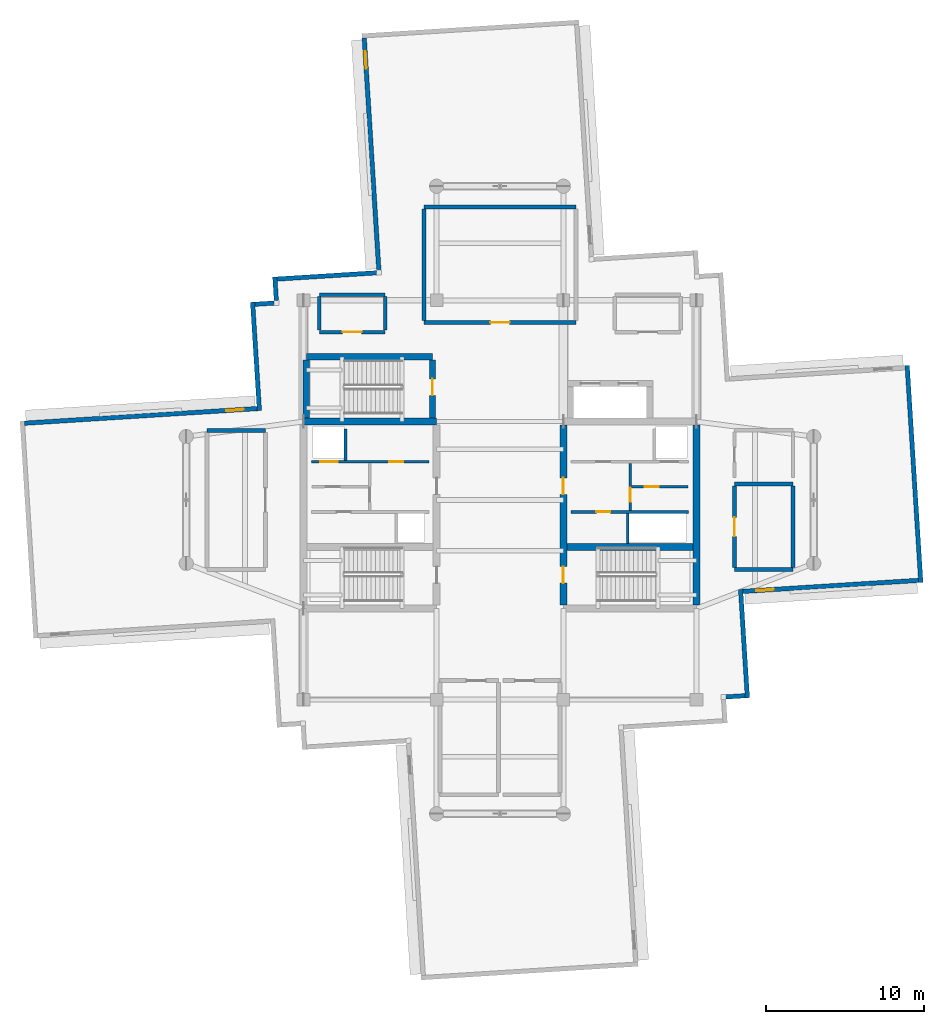
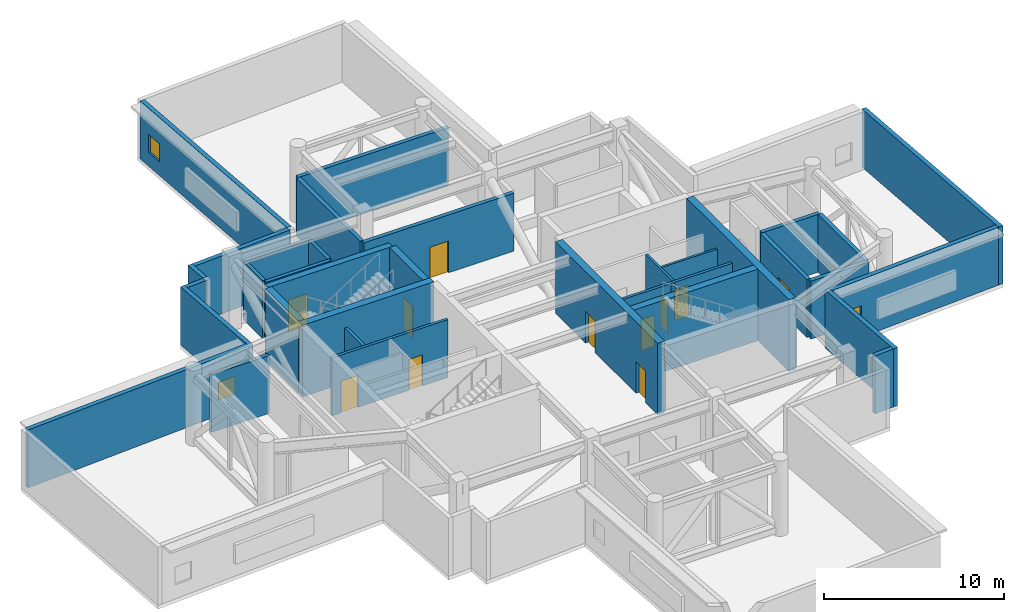
# One storey, part 9 of 14: 35 walls, 11 doors, 3 windows, 14 openings.
"""IFC4 building model written with IfcOpenShell, lengths in metres."""

from ifc_helpers import new_model, si_unit, direction, frame, frame_2d, origin, place, context, subcontext, project, spatial, rectangle, extrude, material, layer, layer_set, type_object, element, fill, save


model = new_model("IFC4")

# Units and contexts
model_context = context("Model", 3, precision=1e-05, world=origin(), true_north=direction((0.0, 1.0)))
body_context = subcontext(model_context, "Body", "Model", "MODEL_VIEW")
ifc_project = project(units=[si_unit("LENGTHUNIT", "METRE"), si_unit("AREAUNIT", "SQUARE_METRE"), si_unit("VOLUMEUNIT", "CUBIC_METRE"), si_unit("PLANEANGLEUNIT", "RADIAN"), si_unit("MASSUNIT", "GRAM", prefix="KILO")], contexts=[model_context])

# Site, building, storey
site_placement = place(None, origin())
site = spatial("IfcSite", under=ifc_project, at=site_placement, CompositionType="ELEMENT")
building_placement = place(site_placement, origin())
building = spatial("IfcBuilding", under=site, at=building_placement, Name="Qingluan Cross Belvedere", CompositionType="ELEMENT")
storey_placement = place(building_placement, frame((0.0, 0.0, 288.89990234375)))
storey = spatial("IfcBuildingStorey", under=building, at=storey_placement, Name="L72", CompositionType="ELEMENT", Elevation=288.89990234375)

# Wall
ifc_material_1 = material(Name="Concrete C50", Category="concrete")
ifc_layer_1 = layer(ifc_material_1, 0.449951171875, Name="CoreShearWall_450")
ifc_layer_set_1 = layer_set([ifc_layer_1], Name="Concrete C50")
wall_type_1 = type_object("IfcWallType", Name="CoreShearWall_450", PredefinedType="SHEAR", material=ifc_layer_set_1)
wall_1_placement = place(storey_placement, frame((-12.39990234375, 4.949951171875, 0.0), z_axis=(0.0, 0.0, 1.0), x_axis=(1.0, 0.0, 0.0)))
element("IfcWall", 1, at=wall_1_placement, inside=storey, type_object=wall_type_1, Name="Split core W shear wall L72-N", PredefinedType="SHEAR", context=body_context, shape_type="SweptSolid", body=[
    extrude(rectangle(XDim=8.39990234375, YDim=0.449951171875, at=frame_2d((4.199951171875, 0.0))), origin(), (0.0, 0.0, 1.0), 4.85009765625),
])

# Wall, openings, doors
wall_2_placement = place(storey_placement, frame((4.0, -6.6201171875, 0.0), z_axis=(0.0, 0.0, 1.0), x_axis=(0.0, 1.0, 0.0)))
wall_2 = element("IfcWall", 2, at=wall_2_placement, inside=storey, type_object=wall_type_1, Name="Split core E shear wall L72-W", PredefinedType="SHEAR", context=body_context, shape_type="SweptSolid", body=[
    extrude(rectangle(XDim=11.340087890625, YDim=0.449951171875, at=frame_2d((5.669921875, 0.0))), origin(), (0.0, 0.0, 1.0), 4.85009765625),
])
opening_1_placement = place(wall_2_placement, frame((1.3701171875, 0.0, 0.0)))
opening_1 = element("IfcOpeningElement", 3, at=opening_1_placement, cuts=wall_2, Name="Opening FD-B11", PredefinedType="OPENING", context=body_context, shape_type="SweptSolid", body=[
    extrude(rectangle(XDim=1.050048828125, YDim=2.14990234375, at=frame_2d((0.52490234375, 1.074951171875))), frame((0.0, 0.23486328125, 0.0), z_axis=(0.0, -1.0, 0.0), x_axis=(1.0, 0.0, 0.0)), (0.0, 0.0, 1.0), 0.469970703125),
])
opening_2_placement = place(wall_2_placement, frame((6.969970703125, 0.0, 0.0)))
opening_2 = element("IfcOpeningElement", 4, at=opening_2_placement, cuts=wall_2, Name="Opening FD-B11", PredefinedType="OPENING", context=body_context, shape_type="SweptSolid", body=[
    extrude(rectangle(XDim=1.050048828125, YDim=2.14990234375, at=frame_2d((0.52490234375, 1.074951171875))), frame((0.0, 0.23486328125, 0.0), z_axis=(0.0, -1.0, 0.0), x_axis=(1.0, 0.0, 0.0)), (0.0, 0.0, 1.0), 0.469970703125),
])
ifc_material_2 = material(Name="Steel Class B smoke-seal fire door", Category="steel")
door_type_1 = type_object("IfcDoorType", Name="StairLobbyFireDoor_FDB", OperationType="NOTDEFINED", PredefinedType="DOOR", material=ifc_material_2)
door_1_placement = place(opening_1_placement, origin())
door_1 = element("IfcDoor", 5, at=door_1_placement, inside=storey, type_object=door_type_1, Name="Smoke-proof stair ST2 fire door L72", OperationType="SINGLE_SWING_LEFT", OverallHeight=2.14990234375, OverallWidth=1.050048828125, PredefinedType="DOOR", context=body_context, shape_type="SweptSolid", body=[
    extrude(rectangle(XDim=1.050048828125, YDim=2.14990234375, at=frame_2d((0.52490234375, 1.074951171875))), frame((0.0, 0.02490234375, 0.0), z_axis=(0.0, -1.0, 0.0), x_axis=(1.0, 0.0, 0.0)), (0.0, 0.0, 1.0), 0.050048828125),
])
fill(opening_1, door_1)
door_2_placement = place(opening_2_placement, origin())
door_2 = element("IfcDoor", 6, at=door_2_placement, inside=storey, type_object=door_type_1, Name="Firefighting lobby East fire door L72", OperationType="SINGLE_SWING_LEFT", OverallHeight=2.14990234375, OverallWidth=1.050048828125, PredefinedType="DOOR", context=body_context, shape_type="SweptSolid", body=[
    extrude(rectangle(XDim=1.050048828125, YDim=2.14990234375, at=frame_2d((0.52490234375, 1.074951171875))), frame((0.0, 0.02490234375, 0.0), z_axis=(0.0, -1.0, 0.0), x_axis=(1.0, 0.0, 0.0)), (0.0, 0.0, 1.0), 0.050048828125),
])
fill(opening_2, door_2)

# Walls
wall_3_placement = place(storey_placement, frame((12.39990234375, -6.6201171875, 0.0), z_axis=(0.0, 0.0, 1.0), x_axis=(0.0, 1.0, 0.0)))
element("IfcWall", 7, at=wall_3_placement, inside=storey, type_object=wall_type_1, Name="Split core E shear wall L72-E", PredefinedType="SHEAR", context=body_context, shape_type="SweptSolid", body=[
    extrude(rectangle(XDim=11.340087890625, YDim=0.449951171875, at=frame_2d((5.669921875, 0.0))), origin(), (0.0, 0.0, 1.0), 4.85009765625),
])
wall_4_placement = place(storey_placement, frame((4.22998046875, -2.9599609375, 0.0), z_axis=(0.0, 0.0, 1.0), x_axis=(1.0, 0.0, 0.0)))
element("IfcWall", 8, at=wall_4_placement, inside=storey, type_object=wall_type_1, Name="Split core E shear wall L72-M", PredefinedType="SHEAR", context=body_context, shape_type="SweptSolid", body=[
    extrude(rectangle(XDim=7.93994140625, YDim=0.449951171875, at=frame_2d((3.969970703125, 0.0))), origin(), (0.0, 0.0, 1.0), 4.85009765625),
])
wall_5_placement = place(storey_placement, frame((-12.219970703125, 9.0400390625, 0.0), z_axis=(0.0, 0.0, 1.0), x_axis=(1.0, 0.0, 0.0)))
element("IfcWall", 9, at=wall_5_placement, inside=storey, type_object=wall_type_1, Name="Stair ST3 structural wall N L72", PredefinedType="SHEAR", context=body_context, shape_type="SweptSolid", body=[
    extrude(rectangle(XDim=7.9599609375, YDim=0.39990234375, at=frame_2d((3.97998046875, 0.0))), origin(), (0.0, 0.0, 1.0), 4.85009765625),
])
wall_6_placement = place(storey_placement, frame((-12.219970703125, 5.179931640625, 0.0), z_axis=(0.0, 0.0, 1.0), x_axis=(0.0, 1.0, 0.0)))
element("IfcWall", 10, at=wall_6_placement, inside=storey, type_object=wall_type_1, Name="Stair ST3 structural wall W L72", PredefinedType="SHEAR", context=body_context, shape_type="SweptSolid", body=[
    extrude(rectangle(XDim=3.655029296875, YDim=0.39990234375, at=frame_2d((1.82763671875, 0.0))), origin(), (0.0, 0.0, 1.0), 4.85009765625),
])

# Wall, opening, door
wall_7_placement = place(storey_placement, frame((-4.260009765625, 5.179931640625, 0.0), z_axis=(0.0, 0.0, 1.0), x_axis=(0.0, 1.0, 0.0)))
wall_7 = element("IfcWall", 11, at=wall_7_placement, inside=storey, type_object=wall_type_1, Name="Stair ST3 structural wall E L72", PredefinedType="SHEAR", context=body_context, shape_type="SweptSolid", body=[
    extrude(rectangle(XDim=3.655029296875, YDim=0.39990234375, at=frame_2d((1.82763671875, 0.0))), origin(), (0.0, 0.0, 1.0), 4.85009765625),
])
opening_3_placement = place(wall_7_placement, frame((1.419921875, 0.0, 0.0)))
opening_3 = element("IfcOpeningElement", 12, at=opening_3_placement, cuts=wall_7, Name="Opening FD-B11", PredefinedType="OPENING", context=body_context, shape_type="SweptSolid", body=[
    extrude(rectangle(XDim=1.050048828125, YDim=2.14990234375, at=frame_2d((0.52490234375, 1.074951171875))), frame((0.0, 0.2099609375, 0.0), z_axis=(0.0, -1.0, 0.0), x_axis=(1.0, 0.0, 0.0)), (0.0, 0.0, 1.0), 0.419921875),
])
door_3_placement = place(opening_3_placement, origin())
door_3 = element("IfcDoor", 13, at=door_3_placement, inside=storey, type_object=door_type_1, Name="Smoke-proof stair ST3 fire door L72", OperationType="SINGLE_SWING_RIGHT", OverallHeight=2.14990234375, OverallWidth=1.050048828125, PredefinedType="DOOR", context=body_context, shape_type="SweptSolid", body=[
    extrude(rectangle(XDim=1.050048828125, YDim=2.14990234375, at=frame_2d((0.52490234375, 1.074951171875))), frame((0.0, 0.02490234375, 0.0), z_axis=(0.0, -1.0, 0.0), x_axis=(1.0, 0.0, 0.0)), (0.0, 0.0, 1.0), 0.050048828125),
])
fill(opening_3, door_3)

ifc_material_3 = material(Name="Gypsum plasterboard on steel stud acoustic partition", Category="steel")
ifc_layer_2 = layer(ifc_material_3, 0.159912109375, Name="CorridorPartition_160")
ifc_layer_set_2 = layer_set([ifc_layer_2], Name="Gypsum plasterboard on steel stud acoustic partition")
wall_type_2 = type_object("IfcWallType", Name="CorridorPartition_160", PredefinedType="PARTITIONING", material=ifc_layer_set_2)
wall_8_placement = place(storey_placement, frame((8.298095703125, 0.830078125, 0.0), z_axis=(0.0, 0.0, 1.0), x_axis=(1.0, 0.0, 0.0)))
wall_8 = element("IfcWall", 14, at=wall_8_placement, inside=storey, type_object=wall_type_2, Name="Partition L72:e", PredefinedType="PARTITIONING", context=body_context, shape_type="SweptSolid", body=[
    extrude(rectangle(XDim=3.552001953125, YDim=0.139892578125, at=frame_2d((1.77587890625, 0.0))), origin(), (0.0, 0.0, 1.0), 3.920166015625),
])
opening_4_placement = place(wall_8_placement, frame((0.85009765625, 0.0, 0.0)))
opening_4 = element("IfcOpeningElement", 15, at=opening_4_placement, cuts=wall_8, Name="Opening FD-B10", PredefinedType="OPENING", context=body_context, shape_type="SweptSolid", body=[
    extrude(rectangle(XDim=0.8798828125, YDim=2.10009765625, at=frame_2d((0.43994140625, 1.050048828125))), frame((0.0, 0.079833984375, 0.0), z_axis=(0.0, -1.0, 0.0), x_axis=(1.0, 0.0, 0.0)), (0.0, 0.0, 1.0), 0.159912109375),
])
ifc_material_4 = material(Name="Steel Class B service fire door", Category="steel")
door_type_2 = type_object("IfcDoorType", Name="RiserServiceFireDoor_FDB", OperationType="NOTDEFINED", PredefinedType="DOOR", material=ifc_material_4)
door_4_placement = place(opening_4_placement, origin())
door_4 = element("IfcDoor", 16, at=door_4_placement, inside=storey, type_object=door_type_2, Name="Service closet inner door L72", OperationType="SINGLE_SWING_RIGHT", OverallHeight=2.10009765625, OverallWidth=0.8798828125, PredefinedType="DOOR", context=body_context, shape_type="SweptSolid", body=[
    extrude(rectangle(XDim=0.8798828125, YDim=2.10009765625, at=frame_2d((0.43994140625, 1.050048828125))), frame((0.0, 0.02490234375, 0.0), z_axis=(0.0, -1.0, 0.0), x_axis=(1.0, 0.0, 0.0)), (0.0, 0.0, 1.0), 0.050048828125),
])
fill(opening_4, door_4)

wall_9_placement = place(storey_placement, frame((-11.39990234375, 10.60009765625, 0.0), z_axis=(0.0, 0.0, 1.0), x_axis=(1.0, 0.0, 0.0)))
wall_9 = element("IfcWall", 17, at=wall_9_placement, inside=storey, type_object=wall_type_2, Name="Partition L72:refuge_nw:S", PredefinedType="PARTITIONING", context=body_context, shape_type="SweptSolid", body=[
    extrude(rectangle(XDim=4.14990234375, YDim=0.219970703125, at=frame_2d((2.074951171875, 0.0))), origin(), (0.0, 0.0, 1.0), 3.920166015625),
])
opening_5_placement = place(wall_9_placement, frame((1.47509765625, 0.0, 0.0)))
opening_5 = element("IfcOpeningElement", 18, at=opening_5_placement, cuts=wall_9, Name="Opening FD-A12", PredefinedType="OPENING", context=body_context, shape_type="SweptSolid", body=[
    extrude(rectangle(XDim=1.199951171875, YDim=2.14990234375, at=frame_2d((0.60009765625, 1.074951171875))), frame((0.0, 0.119873046875, 0.0), z_axis=(0.0, -1.0, 0.0), x_axis=(1.0, 0.0, 0.0)), (0.0, 0.0, 1.0), 0.239990234375),
])
ifc_material_5 = material(Name="Insulated steel Class A fire door", Category="steel")
door_type_3 = type_object("IfcDoorType", Name="RefugeCompartmentDoor_FDA", OperationType="NOTDEFINED", PredefinedType="DOOR", material=ifc_material_5)
door_5_placement = place(opening_5_placement, origin())
door_5 = element("IfcDoor", 19, at=door_5_placement, inside=storey, type_object=door_type_3, Name="High-zone fire refuge bay NW L72 door", OperationType="SINGLE_SWING_LEFT", OverallHeight=2.14990234375, OverallWidth=1.199951171875, PredefinedType="DOOR", context=body_context, shape_type="SweptSolid", body=[
    extrude(rectangle(XDim=1.199951171875, YDim=2.14990234375, at=frame_2d((0.60009765625, 1.074951171875))), frame((0.0, 0.02490234375, 0.0), z_axis=(0.0, -1.0, 0.0), x_axis=(1.0, 0.0, 0.0)), (0.0, 0.0, 1.0), 0.050048828125),
])
fill(opening_5, door_5)

# Walls
wall_10_placement = place(storey_placement, frame((-11.39990234375, 12.949951171875, 0.0), z_axis=(0.0, 0.0, 1.0), x_axis=(1.0, 0.0, 0.0)))
element("IfcWall", 20, at=wall_10_placement, inside=storey, type_object=wall_type_2, Name="Partition L72:refuge_nw:N", PredefinedType="PARTITIONING", context=body_context, shape_type="SweptSolid", body=[
    extrude(rectangle(XDim=4.14990234375, YDim=0.219970703125, at=frame_2d((2.074951171875, 0.0))), origin(), (0.0, 0.0, 1.0), 3.920166015625),
])
for number, where, z_axis, x_axis, name in (
    (21, (-11.39990234375, 10.715087890625, 0.0), (0.0, 0.0, 1.0), (0.0, 1.0, 0.0), "Partition L72:refuge_nw:W"),
    (22, (-7.25, 10.715087890625, 0.0), (0.0, 0.0, 1.0), (0.0, 1.0, 0.0), "Partition L72:refuge_nw:E"),
):
    element("IfcWall", number, at=place(storey_placement, frame(where, z_axis=z_axis, x_axis=x_axis)), inside=storey, type_object=wall_type_2, Name=name, PredefinedType="PARTITIONING", context=body_context, shape_type="SweptSolid", body=[
        extrude(rectangle(XDim=2.119873046875, YDim=0.219970703125, at=frame_2d((1.06005859375, 0.0))), origin(), (0.0, 0.0, 1.0), 3.920166015625),
    ])

# Wall, opening, door
ifc_material_6 = material(Name="Concrete C40", Category="concrete")
ifc_layer_3 = layer(ifc_material_6, 0.300048828125, Name="FireCompartmentWall_300")
ifc_layer_set_3 = layer_set([ifc_layer_3], Name="Concrete C40")
wall_type_3 = type_object("IfcWallType", Name="FireCompartmentWall_300", PredefinedType="SOLIDWALL", material=ifc_layer_set_3)
wall_11_placement = place(storey_placement, frame((-4.800048828125, 11.199951171875, 0.0), z_axis=(0.0, 0.0, 1.0), x_axis=(1.0, 0.0, 0.0)))
wall_11 = element("IfcWall", 23, at=wall_11_placement, inside=storey, type_object=wall_type_3, Name="Partition L72:refuge_n:S", PredefinedType="SOLIDWALL", context=body_context, shape_type="SweptSolid", body=[
    extrude(rectangle(XDim=9.60009765625, YDim=0.25, at=frame_2d((4.800048828125, 0.0))), origin(), (0.0, 0.0, 1.0), 3.920166015625),
])
opening_6_placement = place(wall_11_placement, frame((4.199951171875, 0.0, 0.0)))
opening_6 = element("IfcOpeningElement", 24, at=opening_6_placement, cuts=wall_11, Name="Opening FD-A12", PredefinedType="OPENING", context=body_context, shape_type="SweptSolid", body=[
    extrude(rectangle(XDim=1.199951171875, YDim=2.14990234375, at=frame_2d((0.60009765625, 1.074951171875))), frame((0.0, 0.135009765625, 0.0), z_axis=(0.0, -1.0, 0.0), x_axis=(1.0, 0.0, 0.0)), (0.0, 0.0, 1.0), 0.27001953125),
])
door_6_placement = place(opening_6_placement, origin())
door_6 = element("IfcDoor", 25, at=door_6_placement, inside=storey, type_object=door_type_3, Name="Fire refuge area North L72 door", OperationType="SINGLE_SWING_RIGHT", OverallHeight=2.14990234375, OverallWidth=1.199951171875, PredefinedType="DOOR", context=body_context, shape_type="SweptSolid", body=[
    extrude(rectangle(XDim=1.199951171875, YDim=2.14990234375, at=frame_2d((0.60009765625, 1.074951171875))), frame((0.0, 0.02490234375, 0.0), z_axis=(0.0, -1.0, 0.0), x_axis=(1.0, 0.0, 0.0)), (0.0, 0.0, 1.0), 0.050048828125),
])
fill(opening_6, door_6)

# Walls
wall_12_placement = place(storey_placement, frame((-4.800048828125, 18.5, 0.0), z_axis=(0.0, 0.0, 1.0), x_axis=(1.0, 0.0, 0.0)))
element("IfcWall", 26, at=wall_12_placement, inside=storey, type_object=wall_type_3, Name="Partition L72:refuge_n:N", PredefinedType="SOLIDWALL", context=body_context, shape_type="SweptSolid", body=[
    extrude(rectangle(XDim=9.60009765625, YDim=0.25, at=frame_2d((4.800048828125, 0.0))), origin(), (0.0, 0.0, 1.0), 3.920166015625),
])
wall_13_placement = place(storey_placement, frame((-4.800048828125, 11.330078125, 0.0), z_axis=(0.0, 0.0, 1.0), x_axis=(0.0, 1.0, 0.0)))
element("IfcWall", 27, at=wall_13_placement, inside=storey, type_object=wall_type_3, Name="Partition L72:refuge_n:W", PredefinedType="SOLIDWALL", context=body_context, shape_type="SweptSolid", body=[
    extrude(rectangle(XDim=7.0400390625, YDim=0.25, at=frame_2d((3.52001953125, 0.0))), origin(), (0.0, 0.0, 1.0), 3.920166015625),
])
for number, where, z_axis, x_axis, name in (
    (28, (-18.5, 4.39990234375, 0.0), (0.0, 0.0, 1.0), (1.0, 0.0, 0.0), "Partition L72:hx_plant:N"),
    (29, (14.800048828125, -4.39990234375, 0.0), (0.0, 0.0, 1.0), (1.0, 0.0, 0.0), "Partition L72:press_fan:S"),
    (30, (14.800048828125, 1.0, 0.0), (0.0, 0.0, 1.0), (1.0, 0.0, 0.0), "Partition L72:press_fan:N"),
):
    element("IfcWall", number, at=place(storey_placement, frame(where, z_axis=z_axis, x_axis=x_axis)), inside=storey, type_object=wall_type_3, Name=name, PredefinedType="SOLIDWALL", context=body_context, shape_type="SweptSolid", body=[
        extrude(rectangle(XDim=3.699951171875, YDim=0.25, at=frame_2d((1.85009765625, 0.0))), origin(), (0.0, 0.0, 1.0), 3.920166015625),
    ])

# Wall, opening, door
wall_14_placement = place(storey_placement, frame((14.800048828125, -4.27001953125, 0.0), z_axis=(0.0, 0.0, 1.0), x_axis=(0.0, 1.0, 0.0)))
wall_14 = element("IfcWall", 31, at=wall_14_placement, inside=storey, type_object=wall_type_3, Name="Partition L72:press_fan:W", PredefinedType="SOLIDWALL", context=body_context, shape_type="SweptSolid", body=[
    extrude(rectangle(XDim=5.14013671875, YDim=0.25, at=frame_2d((2.570068359375, 0.0))), origin(), (0.0, 0.0, 1.0), 3.920166015625),
])
opening_7_placement = place(wall_14_placement, frame((1.969970703125, 0.0, 0.0)))
opening_7 = element("IfcOpeningElement", 32, at=opening_7_placement, cuts=wall_14, Name="Opening FD-A12", PredefinedType="OPENING", context=body_context, shape_type="SweptSolid", body=[
    extrude(rectangle(XDim=1.199951171875, YDim=2.14990234375, at=frame_2d((0.60009765625, 1.074951171875))), frame((0.0, 0.135009765625, 0.0), z_axis=(0.0, -1.0, 0.0), x_axis=(1.0, 0.0, 0.0)), (0.0, 0.0, 1.0), 0.27001953125),
])
door_7_placement = place(opening_7_placement, origin())
door_7 = element("IfcDoor", 33, at=door_7_placement, inside=storey, type_object=door_type_3, Name="Smoke pressurization fan plant room L72 door", OperationType="SINGLE_SWING_LEFT", OverallHeight=2.14990234375, OverallWidth=1.199951171875, PredefinedType="DOOR", context=body_context, shape_type="SweptSolid", body=[
    extrude(rectangle(XDim=1.199951171875, YDim=2.14990234375, at=frame_2d((0.60009765625, 1.074951171875))), frame((0.0, 0.02490234375, 0.0), z_axis=(0.0, -1.0, 0.0), x_axis=(1.0, 0.0, 0.0)), (0.0, 0.0, 1.0), 0.050048828125),
])
fill(opening_7, door_7)

# Wall
wall_15_placement = place(storey_placement, frame((18.5, -4.27001953125, 0.0), z_axis=(0.0, 0.0, 1.0), x_axis=(0.0, 1.0, 0.0)))
element("IfcWall", 34, at=wall_15_placement, inside=storey, type_object=wall_type_3, Name="Partition L72:press_fan:E", PredefinedType="SOLIDWALL", context=body_context, shape_type="SweptSolid", body=[
    extrude(rectangle(XDim=5.14013671875, YDim=0.25, at=frame_2d((2.570068359375, 0.0))), origin(), (0.0, 0.0, 1.0), 3.920166015625),
])

# Wall, opening, window
ifc_material_7 = material(Name="Precast concrete C45", Category="concrete")
ifc_layer_4 = layer(ifc_material_7, 0.280029296875, Name="PrecastFacadeWall_280")
ifc_layer_set_4 = layer_set([ifc_layer_4], Name="Precast concrete C45")
wall_type_4 = type_object("IfcWallType", Name="PrecastFacadeWall_280", PredefinedType="STANDARD", material=ifc_layer_set_4)
wall_16_placement = place(storey_placement, frame((15.33251953125, -5.7685546875, 0.0), z_axis=(0.0, 0.0, 1.0), x_axis=(0.998027852903, 0.062772643957, 0.0)))
wall_16 = element("IfcWall", 35, at=wall_16_placement, inside=storey, type_object=wall_type_4, Name="Facade wall L72-EA", PredefinedType="STANDARD", context=body_context, shape_type="SweptSolid", body=[
    extrude(rectangle(XDim=11.10009765625, YDim=0.280029296875, at=frame_2d((5.550048828125, 0.0))), origin(), (0.0, 0.0, 1.0), 3.93017578125),
])
opening_8_placement = place(wall_16_placement, frame((0.85009765625, 0.0, 0.949951171875)))
opening_8 = element("IfcOpeningElement", 36, at=opening_8_placement, cuts=wall_16, Name="Opening W-07", PredefinedType="OPENING", context=body_context, shape_type="SweptSolid", body=[
    extrude(rectangle(XDim=1.10009765625, YDim=1.199951171875, at=frame_2d((0.550048828125, 0.60009765625))), frame((0.0, 0.14990234375, 0.0), z_axis=(0.0, -1.0, 0.0), x_axis=(1.0, 0.0, 0.0)), (0.0, 0.0, 1.0), 0.300048828125),
])
ifc_material_8 = material(Name="Thermally broken triple Low-E glass in aluminium frame", Category="aluminium")
window_type = type_object("IfcWindowType", Name="RefugeSmokeWin_1100x1200", PartitioningType="SINGLE_PANEL", PredefinedType="WINDOW", material=ifc_material_8)
window_1_placement = place(opening_8_placement, origin())
window_1 = element("IfcWindow", 37, at=window_1_placement, inside=storey, type_object=window_type, Name="Refuge operable smoke window L72-EA", OverallHeight=1.199951171875, OverallWidth=1.10009765625, PartitioningType="SINGLE_PANEL", PredefinedType="WINDOW", context=body_context, shape_type="SweptSolid", body=[
    extrude(rectangle(XDim=1.10009765625, YDim=1.199951171875, at=frame_2d((0.550048828125, 0.60009765625))), frame((0.0, 0.030029296875, 0.0), z_axis=(0.0, -1.0, 0.0), x_axis=(1.0, 0.0, 0.0)), (0.0, 0.0, 1.0), 0.06005859375),
])
fill(opening_8, window_1)

# Wall
wall_17_placement = place(storey_placement, frame((26.55908203125, -5.20263671875, 0.0), z_axis=(0.0, 0.0, 1.0), x_axis=(-0.062797041623, 0.998026318072, 0.0)))
element("IfcWall", 38, at=wall_17_placement, inside=storey, type_object=wall_type_4, Name="Arm tip precast facade wall L72-E", PredefinedType="STANDARD", context=body_context, shape_type="SweptSolid", body=[
    extrude(rectangle(XDim=13.719970703125, YDim=0.280029296875, at=frame_2d((6.85986328125, 0.0))), origin(), (0.0, 0.0, 1.0), 3.93017578125),
])

# Wall, opening, window
wall_18_placement = place(storey_placement, frame((-8.56787109375, 29.15966796875, 0.0), z_axis=(0.0, 0.0, 1.0), x_axis=(0.062794967833, -0.998026448555, 0.0)))
wall_18 = element("IfcWall", 39, at=wall_18_placement, inside=storey, type_object=wall_type_4, Name="Facade wall L72-NB", PredefinedType="STANDARD", context=body_context, shape_type="SweptSolid", body=[
    extrude(rectangle(XDim=14.7001953125, YDim=0.280029296875, at=frame_2d((7.35009765625, 0.0))), origin(), (0.0, 0.0, 1.0), 3.93017578125),
])
opening_9_placement = place(wall_18_placement, frame((0.85009765625, 0.0, 0.949951171875)))
opening_9 = element("IfcOpeningElement", 40, at=opening_9_placement, cuts=wall_18, Name="Opening W-07", PredefinedType="OPENING", context=body_context, shape_type="SweptSolid", body=[
    extrude(rectangle(XDim=1.10009765625, YDim=1.199951171875, at=frame_2d((0.550048828125, 0.60009765625))), frame((0.0, 0.14990234375, 0.0), z_axis=(0.0, -1.0, 0.0), x_axis=(1.0, 0.0, 0.0)), (0.0, 0.0, 1.0), 0.300048828125),
])
window_2_placement = place(opening_9_placement, origin())
window_2 = element("IfcWindow", 41, at=window_2_placement, inside=storey, type_object=window_type, Name="Refuge operable smoke window L72-NB", OverallHeight=1.199951171875, OverallWidth=1.10009765625, PartitioningType="SINGLE_PANEL", PredefinedType="WINDOW", context=body_context, shape_type="SweptSolid", body=[
    extrude(rectangle(XDim=1.10009765625, YDim=1.199951171875, at=frame_2d((0.550048828125, 0.60009765625))), frame((0.0, 0.030029296875, 0.0), z_axis=(0.0, -1.0, 0.0), x_axis=(1.0, 0.0, 0.0)), (0.0, 0.0, 1.0), 0.06005859375),
])
fill(opening_9, window_2)

wall_19_placement = place(storey_placement, frame((-15.33251953125, 5.7685546875, 0.0), z_axis=(0.0, 0.0, 1.0), x_axis=(-0.998027423805, -0.062779465852, 0.0)))
wall_19 = element("IfcWall", 42, at=wall_19_placement, inside=storey, type_object=wall_type_4, Name="Facade wall L72-WA", PredefinedType="STANDARD", context=body_context, shape_type="SweptSolid", body=[
    extrude(rectangle(XDim=14.699951171875, YDim=0.280029296875, at=frame_2d((7.35009765625, 0.0))), origin(), (0.0, 0.0, 1.0), 3.93017578125),
])
opening_10_placement = place(wall_19_placement, frame((0.85009765625, 0.0, 0.949951171875)))
opening_10 = element("IfcOpeningElement", 43, at=opening_10_placement, cuts=wall_19, Name="Opening W-07", PredefinedType="OPENING", context=body_context, shape_type="SweptSolid", body=[
    extrude(rectangle(XDim=1.10009765625, YDim=1.199951171875, at=frame_2d((0.550048828125, 0.60009765625))), frame((0.0, 0.14990234375, 0.0), z_axis=(0.0, -1.0, 0.0), x_axis=(1.0, 0.0, 0.0)), (0.0, 0.0, 1.0), 0.300048828125),
])
window_3_placement = place(opening_10_placement, origin())
window_3 = element("IfcWindow", 44, at=window_3_placement, inside=storey, type_object=window_type, Name="Refuge operable smoke window L72-WA", OverallHeight=1.199951171875, OverallWidth=1.10009765625, PartitioningType="SINGLE_PANEL", PredefinedType="WINDOW", context=body_context, shape_type="SweptSolid", body=[
    extrude(rectangle(XDim=1.10009765625, YDim=1.199951171875, at=frame_2d((0.550048828125, 0.60009765625))), frame((0.0, 0.030029296875, 0.0), z_axis=(0.0, -1.0, 0.0), x_axis=(1.0, 0.0, 0.0)), (0.0, 0.0, 1.0), 0.06005859375),
])
fill(opening_10, window_3)

# Walls
wall_20_placement = place(storey_placement, frame((-15.18408203125, 5.6376953125, 0.0), z_axis=(0.0, 0.0, 1.0), x_axis=(-0.062779317195, 0.998027433156, 0.0)))
element("IfcWall", 45, at=wall_20_placement, inside=storey, type_object=wall_type_4, Name="Corner wall L72-NW1", PredefinedType="STANDARD", context=body_context, shape_type="SweptSolid", body=[
    extrude(rectangle(XDim=6.85986328125, YDim=0.280029296875, at=frame_2d((3.429931640625, 0.0))), origin(), (0.0, 0.0, 1.0), 3.93017578125),
])
wall_21_placement = place(storey_placement, frame((-15.46630859375, 12.353271484375, 0.0), z_axis=(0.0, 0.0, 1.0), x_axis=(0.998024450254, 0.062826719603, 0.0)))
element("IfcWall", 46, at=wall_21_placement, inside=storey, type_object=wall_type_4, Name="Corner wall L72-NW2", PredefinedType="STANDARD", context=body_context, shape_type="SweptSolid", body=[
    extrude(rectangle(XDim=1.22021484375, YDim=0.280029296875, at=frame_2d((0.610107421875, 0.0))), origin(), (0.0, 0.0, 1.0), 3.93017578125),
])
wall_22_placement = place(storey_placement, frame((-14.11767578125, 12.578369140625, 0.0), z_axis=(0.0, 0.0, 1.0), x_axis=(-0.062824119533, 0.998024613927, 0.0)))
element("IfcWall", 47, at=wall_22_placement, inside=storey, type_object=wall_type_4, Name="Corner wall L72-NW3", PredefinedType="STANDARD", context=body_context, shape_type="SweptSolid", body=[
    extrude(rectangle(XDim=1.5, YDim=0.280029296875, at=frame_2d((0.75, 0.0))), origin(), (0.0, 0.0, 1.0), 3.93017578125),
])
wall_23_placement = place(storey_placement, frame((-14.063232421875, 13.944580078125, 0.0), z_axis=(0.0, 0.0, 1.0), x_axis=(0.998027314704, 0.062781200242, 0.0)))
element("IfcWall", 48, at=wall_23_placement, inside=storey, type_object=wall_type_4, Name="Corner wall L72-NW4", PredefinedType="STANDARD", context=body_context, shape_type="SweptSolid", body=[
    extrude(rectangle(XDim=6.2998046875, YDim=0.280029296875, at=frame_2d((3.14990234375, 0.0))), origin(), (0.0, 0.0, 1.0), 3.93017578125),
])
wall_24_placement = place(storey_placement, frame((15.18408203125, -5.6376953125, 0.0), z_axis=(0.0, 0.0, 1.0), x_axis=(0.062779317195, -0.998027433156, 0.0)))
element("IfcWall", 49, at=wall_24_placement, inside=storey, type_object=wall_type_4, Name="Corner wall L72-SE1", PredefinedType="STANDARD", context=body_context, shape_type="SweptSolid", body=[
    extrude(rectangle(XDim=6.85986328125, YDim=0.280029296875, at=frame_2d((3.429931640625, 0.0))), origin(), (0.0, 0.0, 1.0), 3.93017578125),
])
wall_25_placement = place(storey_placement, frame((15.46630859375, -12.353271484375, 0.0), z_axis=(0.0, 0.0, 1.0), x_axis=(-0.998024450254, -0.062826719603, 0.0)))
element("IfcWall", 50, at=wall_25_placement, inside=storey, type_object=wall_type_4, Name="Corner wall L72-SE2", PredefinedType="STANDARD", context=body_context, shape_type="SweptSolid", body=[
    extrude(rectangle(XDim=1.22021484375, YDim=0.280029296875, at=frame_2d((0.610107421875, 0.0))), origin(), (0.0, 0.0, 1.0), 3.93017578125),
])

# Wall, openings, doors
ifc_material_9 = material(Name="Concrete C40", Category="concrete")
ifc_layer_5 = layer(ifc_material_9, 0.219970703125, Name="ShaftEnclosureWall_250")
ifc_layer_set_5 = layer_set([ifc_layer_5], Name="Concrete C40")
wall_type_5 = type_object("IfcWallType", Name="ShaftEnclosureWall_250", PredefinedType="SOLIDWALL", material=ifc_layer_set_5)
wall_26_placement = place(storey_placement, frame((-11.89990234375, 2.409912109375, 0.0), z_axis=(0.0, 0.0, 1.0), x_axis=(1.0, 0.0, 0.0)))
wall_26 = element("IfcWall", 51, at=wall_26_placement, inside=storey, type_object=wall_type_5, Name="Core-W north hoistway wall L72", PredefinedType="SOLIDWALL", context=body_context, shape_type="SweptSolid", body=[
    extrude(rectangle(XDim=7.419921875, YDim=0.179931640625, at=frame_2d((3.7099609375, 0.0))), origin(), (0.0, 0.0, 1.0), 3.920166015625),
])
opening_11_placement = place(wall_26_placement, frame((0.550048828125, 0.0, 0.0)))
opening_11 = element("IfcOpeningElement", 52, at=opening_11_placement, cuts=wall_26, Name="Opening LD-11", PredefinedType="OPENING", context=body_context, shape_type="SweptSolid", body=[
    extrude(rectangle(XDim=1.10009765625, YDim=2.14990234375, at=frame_2d((0.550048828125, 1.074951171875))), frame((0.0, 0.099853515625, 0.0), z_axis=(0.0, -1.0, 0.0), x_axis=(1.0, 0.0, 0.0)), (0.0, 0.0, 1.0), 0.199951171875),
])
opening_12_placement = place(wall_26_placement, frame((4.89990234375, 0.0, 0.0)))
opening_12 = element("IfcOpeningElement", 53, at=opening_12_placement, cuts=wall_26, Name="Opening FD-B10", PredefinedType="OPENING", context=body_context, shape_type="SweptSolid", body=[
    extrude(rectangle(XDim=0.8798828125, YDim=2.10009765625, at=frame_2d((0.43994140625, 1.050048828125))), frame((0.0, 0.099853515625, 0.0), z_axis=(0.0, -1.0, 0.0), x_axis=(1.0, 0.0, 0.0)), (0.0, 0.0, 1.0), 0.199951171875),
])
ifc_material_10 = material(Name="Brushed stainless steel centre-opening lift landing door", Category="steel")
door_type_4 = type_object("IfcDoorType", Name="LiftLandingSlidingDoor_1100", OperationType="DOUBLE_DOOR_SLIDING", PredefinedType="DOOR", material=ifc_material_10)
door_8_placement = place(opening_11_placement, origin())
door_8 = element("IfcDoor", 54, at=door_8_placement, inside=storey, type_object=door_type_4, Name="Lift landing sliding door FL1 L72", OperationType="DOUBLE_DOOR_SLIDING", OverallHeight=2.14990234375, OverallWidth=1.10009765625, PredefinedType="DOOR", context=body_context, shape_type="SweptSolid", body=[
    extrude(rectangle(XDim=1.10009765625, YDim=2.14990234375, at=frame_2d((0.550048828125, 1.074951171875))), frame((0.0, 0.02490234375, 0.0), z_axis=(0.0, -1.0, 0.0), x_axis=(1.0, 0.0, 0.0)), (0.0, 0.0, 1.0), 0.050048828125),
])
fill(opening_11, door_8)
door_9_placement = place(opening_12_placement, origin())
door_9 = element("IfcDoor", 55, at=door_9_placement, inside=storey, type_object=door_type_2, Name="Housekeeping supply room door W L72", OperationType="SINGLE_SWING_LEFT", OverallHeight=2.10009765625, OverallWidth=0.8798828125, PredefinedType="DOOR", context=body_context, shape_type="SweptSolid", body=[
    extrude(rectangle(XDim=0.8798828125, YDim=2.10009765625, at=frame_2d((0.43994140625, 1.050048828125))), frame((0.0, 0.02490234375, 0.0), z_axis=(0.0, -1.0, 0.0), x_axis=(1.0, 0.0, 0.0)), (0.0, 0.0, 1.0), 0.050048828125),
])
fill(opening_12, door_9)

# Wall, opening, door
wall_27_placement = place(storey_placement, frame((4.47998046875, -0.75, 0.0), z_axis=(0.0, 0.0, 1.0), x_axis=(1.0, 0.0, 0.0)))
wall_27 = element("IfcWall", 56, at=wall_27_placement, inside=storey, type_object=wall_type_5, Name="Core-E mid hoistway wall L72", PredefinedType="SOLIDWALL", context=body_context, shape_type="SweptSolid", body=[
    extrude(rectangle(XDim=7.419921875, YDim=0.179931640625, at=frame_2d((3.7099609375, 0.0))), origin(), (0.0, 0.0, 1.0), 3.920166015625),
])
opening_13_placement = place(wall_27_placement, frame((1.60009765625, 0.0, 0.0)))
opening_13 = element("IfcOpeningElement", 57, at=opening_13_placement, cuts=wall_27, Name="Opening FD-B10", PredefinedType="OPENING", context=body_context, shape_type="SweptSolid", body=[
    extrude(rectangle(XDim=0.8798828125, YDim=2.10009765625, at=frame_2d((0.43994140625, 1.050048828125))), frame((0.0, 0.099853515625, 0.0), z_axis=(0.0, -1.0, 0.0), x_axis=(1.0, 0.0, 0.0)), (0.0, 0.0, 1.0), 0.199951171875),
])
door_10_placement = place(opening_13_placement, origin())
door_10 = element("IfcDoor", 58, at=door_10_placement, inside=storey, type_object=door_type_2, Name="Upper-zone linen store door L72", OperationType="SINGLE_SWING_RIGHT", OverallHeight=2.10009765625, OverallWidth=0.8798828125, PredefinedType="DOOR", context=body_context, shape_type="SweptSolid", body=[
    extrude(rectangle(XDim=0.8798828125, YDim=2.10009765625, at=frame_2d((0.43994140625, 1.050048828125))), frame((0.0, 0.02490234375, 0.0), z_axis=(0.0, -1.0, 0.0), x_axis=(1.0, 0.0, 0.0)), (0.0, 0.0, 1.0), 0.050048828125),
])
fill(opening_13, door_10)

# Walls
wall_28_placement = place(storey_placement, frame((-9.760009765625, 2.5, 0.0), z_axis=(0.0, 0.0, 1.0), x_axis=(0.0, 1.0, 0.0)))
element("IfcWall", 59, at=wall_28_placement, inside=storey, type_object=wall_type_5, Name="Hoistway enclosure divider FL1E L72", PredefinedType="SOLIDWALL", context=body_context, shape_type="SweptSolid", body=[
    extrude(rectangle(XDim=1.989990234375, YDim=0.179931640625, at=frame_2d((0.9951171875, 0.0))), origin(), (0.0, 0.0, 1.0), 3.920166015625),
])
wall_29_placement = place(storey_placement, frame((8.06005859375, -2.72998046875, 0.0), z_axis=(0.0, 0.0, 1.0), x_axis=(0.0, 1.0, 0.0)))
element("IfcWall", 60, at=wall_29_placement, inside=storey, type_object=wall_type_5, Name="Hoistway enclosure divider LP9W L72", PredefinedType="SOLIDWALL", context=body_context, shape_type="SweptSolid", body=[
    extrude(rectangle(XDim=1.889892578125, YDim=0.179931640625, at=frame_2d((0.94482421875, 0.0))), origin(), (0.0, 0.0, 1.0), 3.920166015625),
])

# Wall, opening, door
wall_30_placement = place(storey_placement, frame((8.219970703125, -0.64990234375, 0.0), z_axis=(0.0, 0.0, 1.0), x_axis=(0.0, 1.0, 0.0)))
wall_30 = element("IfcWall", 61, at=wall_30_placement, inside=storey, type_object=wall_type_5, Name="Core-E service corridor wall L72", PredefinedType="SOLIDWALL", context=body_context, shape_type="SweptSolid", body=[
    extrude(rectangle(XDim=2.9599609375, YDim=0.139892578125, at=frame_2d((1.47998046875, 0.0))), origin(), (0.0, 0.0, 1.0), 3.920166015625),
])
opening_14_placement = place(wall_30_placement, frame((0.550048828125, 0.0, 0.0)))
opening_14 = element("IfcOpeningElement", 62, at=opening_14_placement, cuts=wall_30, Name="Opening FD-B10", PredefinedType="OPENING", context=body_context, shape_type="SweptSolid", body=[
    extrude(rectangle(XDim=0.8798828125, YDim=2.10009765625, at=frame_2d((0.43994140625, 1.050048828125))), frame((0.0, 0.079833984375, 0.0), z_axis=(0.0, -1.0, 0.0), x_axis=(1.0, 0.0, 0.0)), (0.0, 0.0, 1.0), 0.159912109375),
])
door_11_placement = place(opening_14_placement, origin())
door_11 = element("IfcDoor", 63, at=door_11_placement, inside=storey, type_object=door_type_2, Name="Core-E service room door L72", OperationType="SINGLE_SWING_RIGHT", OverallHeight=2.10009765625, OverallWidth=0.8798828125, PredefinedType="DOOR", context=body_context, shape_type="SweptSolid", body=[
    extrude(rectangle(XDim=0.8798828125, YDim=2.10009765625, at=frame_2d((0.43994140625, 1.050048828125))), frame((0.0, 0.02490234375, 0.0), z_axis=(0.0, -1.0, 0.0), x_axis=(1.0, 0.0, 0.0)), (0.0, 0.0, 1.0), 0.050048828125),
])
fill(opening_14, door_11)

save(model, "model.ifc")
